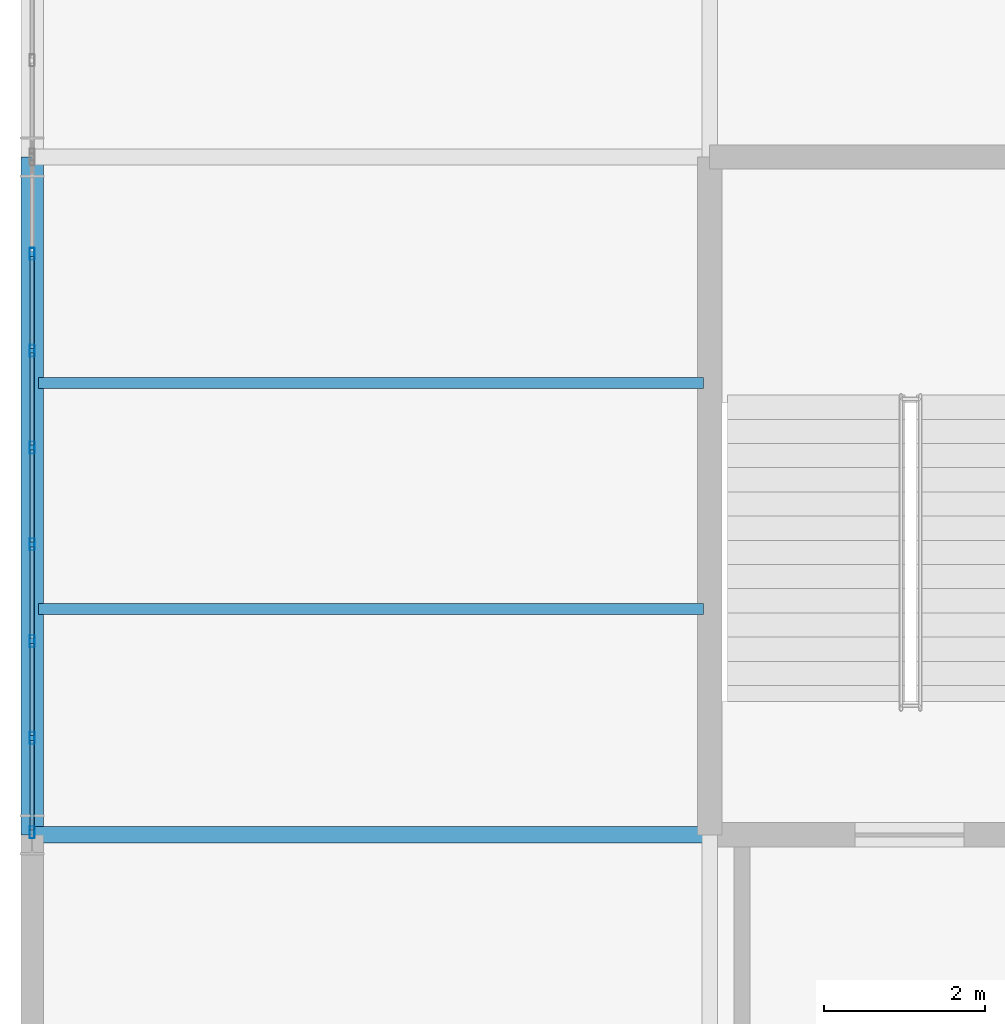
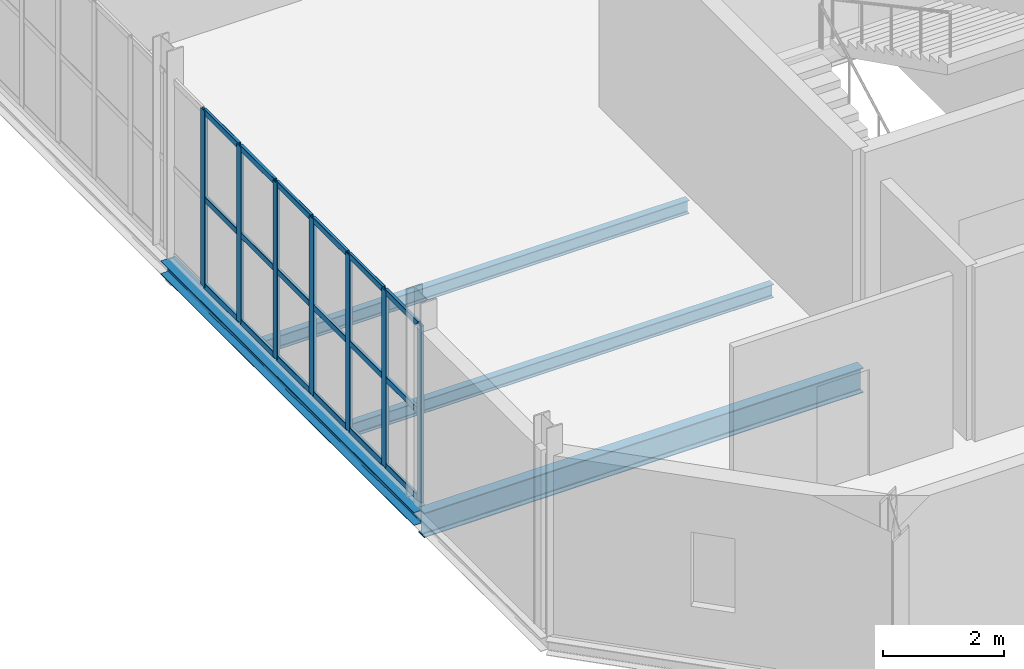
# One storey, part 16 of 69: 25 members, 4 beams, 1 element without a shape of its own.
"""IFC4 building model written with IfcOpenShell, lengths in metres."""

from ifc_helpers import new_model, si_unit, direction, frame, origin, origin_2d, place, context, subcontext, project, spatial, hollow_rectangle, i_section, extrude, material, layer, layer_set, material_profile, profile_set, type_object, element, aggregate, save


model = new_model("IFC4")

# Units and contexts
model_context = context("Model", 3, precision=1e-05, world=origin(), true_north=direction((0.0, 1.0)))
body_context = subcontext(model_context, "Body", "Model", "MODEL_VIEW")
ifc_project = project(units=[si_unit("LENGTHUNIT", "METRE"), si_unit("AREAUNIT", "SQUARE_METRE"), si_unit("VOLUMEUNIT", "CUBIC_METRE"), si_unit("PLANEANGLEUNIT", "RADIAN"), si_unit("MASSUNIT", "GRAM", prefix="KILO")], contexts=[model_context])

# Site, building, storey
site_placement = place(None, origin())
site = spatial("IfcSite", under=ifc_project, at=site_placement, CompositionType="ELEMENT")
building_placement = place(site_placement, origin())
building = spatial("IfcBuilding", under=site, at=building_placement, Name="Qalvenar Corner Mobility Hub", CompositionType="ELEMENT")
storey_placement = place(building_placement, frame((0.0, 0.0, 13.199951171875)))
storey = spatial("IfcBuildingStorey", under=building, at=storey_placement, Name="L03", CompositionType="ELEMENT", Elevation=13.199951171875)

# Beams
ifc_material_1 = material(Name="Steel S355", Category="steel")
ifc_material_profile_1 = material_profile(ifc_material_1, i_section(OverallWidth=0.199951171875, OverallDepth=0.5, WebThickness=0.01025390625, FlangeThickness=0.01611328125, FilletRadius=0.02099609375, at=origin_2d()), Name="IPE500")
ifc_profile_set_1 = profile_set([ifc_material_profile_1], Name="Steel S355")
beam_type_1 = type_object("IfcBeamType", Name="BM-IPE500", PredefinedType="BEAM", material=ifc_profile_set_1)
beam_1_placement = place(storey_placement, frame((0.0, 8.39990234375, -0.429931640625), z_axis=(1.0, 0.0, 0.0), x_axis=(0.0, 1.0, 0.0)))
element("IfcBeam", 1, at=beam_1_placement, inside=storey, type_object=beam_type_1, Name="Primary Steel Girder GX-2194", PredefinedType="BEAM", context=body_context, shape_type="SweptSolid", body=[
    extrude(i_section(OverallWidth=0.199951171875, OverallDepth=0.5, WebThickness=0.01025390625, FlangeThickness=0.01611328125, FilletRadius=0.02099609375, at=origin_2d()), origin(), (0.0, 0.0, 1.0), 8.39990234375),
])
ifc_material_profile_2 = material_profile(ifc_material_1, i_section(OverallWidth=0.135009765625, OverallDepth=0.27001953125, WebThickness=0.006591796875, FlangeThickness=0.01025390625, FilletRadius=0.014892578125, at=origin_2d()), Name="IPE270")
ifc_profile_set_2 = profile_set([ifc_material_profile_2], Name="Steel S355")
beam_type_2 = type_object("IfcBeamType", Name="BM-JST270", PredefinedType="JOIST", material=ifc_profile_set_2)
for number, where, z_axis, x_axis, name in (
    (2, (0.077880859375, 11.199951171875, -0.31494140625), (1.0, 0.0, 0.0), (0.0, 1.0, 0.0), "Composite Floor Joist J-2262"),
    (3, (0.077880859375, 14.0, -0.31494140625), (1.0, 0.0, 0.0), (0.0, 1.0, 0.0), "Composite Floor Joist J-2263"),
):
    element("IfcBeam", number, at=place(storey_placement, frame(where, z_axis=z_axis, x_axis=x_axis)), inside=storey, type_object=beam_type_2, Name=name, PredefinedType="JOIST", context=body_context, shape_type="SweptSolid", body=[
        extrude(i_section(OverallWidth=0.135009765625, OverallDepth=0.27001953125, WebThickness=0.006591796875, FlangeThickness=0.01025390625, FilletRadius=0.014892578125, at=origin_2d()), origin(), (0.0, 0.0, 1.0), 8.244140625),
    ])
ifc_material_profile_3 = material_profile(ifc_material_1, i_section(OverallWidth=0.280029296875, OverallDepth=0.27001953125, WebThickness=0.008056640625, FlangeThickness=0.012939453125, FilletRadius=0.02392578125, at=origin_2d()), Name="HEA280")
ifc_profile_set_3 = profile_set([ifc_material_profile_3], Name="Steel S355")
beam_type_3 = type_object("IfcBeamType", Name="BM-SPN280", PredefinedType="SPANDREL", material=ifc_profile_set_3)
beam_2_placement = place(storey_placement, frame((0.0, 8.39990234375, -0.31494140625), z_axis=(0.0, 1.0, 0.0), x_axis=(-1.0, 0.0, 0.0)))
element("IfcBeam", 4, at=beam_2_placement, inside=storey, type_object=beam_type_3, Name="Primary Steel Girder GY-2225", PredefinedType="SPANDREL", context=body_context, shape_type="SweptSolid", body=[
    extrude(i_section(OverallWidth=0.280029296875, OverallDepth=0.27001953125, WebThickness=0.008056640625, FlangeThickness=0.012939453125, FilletRadius=0.02392578125, at=origin_2d()), origin(), (0.0, 0.0, 1.0), 8.400146484375),
])

# Curtain wall, members
ifc_material_2 = material(Name="Anodised Aluminium and Low-E Glazing", Category="aluminium")
ifc_layer = layer(ifc_material_2, 0.14990234375)
ifc_layer_set = layer_set([ifc_layer], Name="Anodised Aluminium and Low-E Glazing")
curtain_wall_type = type_object("IfcCurtainWallType", Name="CW-CIV-84X40", PredefinedType="NOTDEFINED", material=ifc_layer_set)
curtain_wall_placement = place(storey_placement, origin())
curtain_wall = element("IfcCurtainWall", 5, at=curtain_wall_placement, inside=storey, type_object=curtain_wall_type, Name="Glazed Curtain Wall CW-V3-L03-W1", PredefinedType="NOTDEFINED")
ifc_material_3 = material(Name="Anodised Aluminium 6063-T6", Category="aluminium")
ifc_material_profile_4 = material_profile(ifc_material_3, hollow_rectangle(XDim=0.06005859375, YDim=0.14990234375, WallThickness=0.00390625, InnerFilletRadius=0.00390625, OuterFilletRadius=0.008056640625, at=origin_2d()), Name="RHS150x60x4")
ifc_profile_set_4 = profile_set([ifc_material_profile_4], Name="Anodised Aluminium 6063-T6")
member_type_1 = type_object("IfcMemberType", Name="CW-MUL150", PredefinedType="MULLION", material=ifc_profile_set_4)
member_1_placement = place(storey_placement, frame((0.0, 15.60009765625, 0.0), z_axis=(0.0, 0.0, 1.0), x_axis=(1.0, 0.0, 0.0)))
member_1 = element("IfcMember", 6, at=member_1_placement, type_object=member_type_1, Name="CW-05 mullion 2", PredefinedType="MULLION", context=body_context, shape_type="SweptSolid", body=[
    extrude(hollow_rectangle(XDim=0.06005859375, YDim=0.14990234375, WallThickness=0.00390625, InnerFilletRadius=0.00390625, OuterFilletRadius=0.008056640625, at=origin_2d()), origin(), (0.0, 0.0, 1.0), 3.570068359375),
])
member_2_placement = place(storey_placement, frame((0.0, 14.39990234375, 0.0), z_axis=(0.0, 0.0, 1.0), x_axis=(1.0, 0.0, 0.0)))
member_2 = element("IfcMember", 7, at=member_2_placement, type_object=member_type_1, Name="CW-05 mullion 3", PredefinedType="MULLION", context=body_context, shape_type="SweptSolid", body=[
    extrude(hollow_rectangle(XDim=0.06005859375, YDim=0.14990234375, WallThickness=0.00390625, InnerFilletRadius=0.00390625, OuterFilletRadius=0.008056640625, at=origin_2d()), origin(), (0.0, 0.0, 1.0), 3.570068359375),
])
member_3_placement = place(storey_placement, frame((0.0, 13.199951171875, 0.0), z_axis=(0.0, 0.0, 1.0), x_axis=(1.0, 0.0, 0.0)))
member_3 = element("IfcMember", 8, at=member_3_placement, type_object=member_type_1, Name="CW-05 mullion 4", PredefinedType="MULLION", context=body_context, shape_type="SweptSolid", body=[
    extrude(hollow_rectangle(XDim=0.06005859375, YDim=0.14990234375, WallThickness=0.00390625, InnerFilletRadius=0.00390625, OuterFilletRadius=0.008056640625, at=origin_2d()), origin(), (0.0, 0.0, 1.0), 3.570068359375),
])
member_4_placement = place(storey_placement, frame((0.0, 12.0, 0.0), z_axis=(0.0, 0.0, 1.0), x_axis=(1.0, 0.0, 0.0)))
member_4 = element("IfcMember", 9, at=member_4_placement, type_object=member_type_1, Name="CW-05 mullion 5", PredefinedType="MULLION", context=body_context, shape_type="SweptSolid", body=[
    extrude(hollow_rectangle(XDim=0.06005859375, YDim=0.14990234375, WallThickness=0.00390625, InnerFilletRadius=0.00390625, OuterFilletRadius=0.008056640625, at=origin_2d()), origin(), (0.0, 0.0, 1.0), 3.570068359375),
])
member_5_placement = place(storey_placement, frame((0.0, 10.800048828125, 0.0), z_axis=(0.0, 0.0, 1.0), x_axis=(1.0, 0.0, 0.0)))
member_5 = element("IfcMember", 10, at=member_5_placement, type_object=member_type_1, Name="CW-05 mullion 6", PredefinedType="MULLION", context=body_context, shape_type="SweptSolid", body=[
    extrude(hollow_rectangle(XDim=0.06005859375, YDim=0.14990234375, WallThickness=0.00390625, InnerFilletRadius=0.00390625, OuterFilletRadius=0.008056640625, at=origin_2d()), origin(), (0.0, 0.0, 1.0), 3.570068359375),
])
member_6_placement = place(storey_placement, frame((0.0, 9.60009765625, 0.0), z_axis=(0.0, 0.0, 1.0), x_axis=(1.0, 0.0, 0.0)))
member_6 = element("IfcMember", 11, at=member_6_placement, type_object=member_type_1, Name="CW-05 mullion 7", PredefinedType="MULLION", context=body_context, shape_type="SweptSolid", body=[
    extrude(hollow_rectangle(XDim=0.06005859375, YDim=0.14990234375, WallThickness=0.00390625, InnerFilletRadius=0.00390625, OuterFilletRadius=0.008056640625, at=origin_2d()), origin(), (0.0, 0.0, 1.0), 3.570068359375),
])
member_7_placement = place(storey_placement, frame((0.0, 8.429931640625, 0.0), z_axis=(0.0, 0.0, 1.0), x_axis=(1.0, 0.0, 0.0)))
member_7 = element("IfcMember", 12, at=member_7_placement, type_object=member_type_1, Name="CW-05 mullion 8", PredefinedType="MULLION", context=body_context, shape_type="SweptSolid", body=[
    extrude(hollow_rectangle(XDim=0.06005859375, YDim=0.14990234375, WallThickness=0.00390625, InnerFilletRadius=0.00390625, OuterFilletRadius=0.008056640625, at=origin_2d()), origin(), (0.0, 0.0, 1.0), 3.570068359375),
])
ifc_material_profile_5 = material_profile(ifc_material_3, hollow_rectangle(XDim=0.054931640625, YDim=0.1201171875, WallThickness=0.00341796875, InnerFilletRadius=0.00341796875, OuterFilletRadius=0.007080078125, at=origin_2d()), Name="RHS120x55x3.5")
ifc_profile_set_5 = profile_set([ifc_material_profile_5], Name="Anodised Aluminium 6063-T6")
member_type_2 = type_object("IfcMemberType", Name="CW-TRN120", PredefinedType="USERDEFINED", material=ifc_profile_set_5)
member_8_placement = place(storey_placement, frame((0.0, 15.570068359375, 0.027587890625), z_axis=(0.0, -1.0, 0.0), x_axis=(1.0, 0.0, 0.0)))
member_8 = element("IfcMember", 13, at=member_8_placement, type_object=member_type_2, Name="CW-05 transom 2.1", ObjectType="TRANSOM", PredefinedType="USERDEFINED", context=body_context, shape_type="SweptSolid", body=[
    extrude(hollow_rectangle(XDim=0.054931640625, YDim=0.1201171875, WallThickness=0.00341796875, InnerFilletRadius=0.00341796875, OuterFilletRadius=0.007080078125, at=origin_2d()), origin(), (0.0, 0.0, 1.0), 1.14013671875),
])
member_9_placement = place(storey_placement, frame((0.0, 15.570068359375, 1.78515625), z_axis=(0.0, -1.0, 0.0), x_axis=(1.0, 0.0, 0.0)))
member_9 = element("IfcMember", 14, at=member_9_placement, type_object=member_type_2, Name="CW-05 transom 2.2", ObjectType="TRANSOM", PredefinedType="USERDEFINED", context=body_context, shape_type="SweptSolid", body=[
    extrude(hollow_rectangle(XDim=0.054931640625, YDim=0.1201171875, WallThickness=0.00341796875, InnerFilletRadius=0.00341796875, OuterFilletRadius=0.007080078125, at=origin_2d()), origin(), (0.0, 0.0, 1.0), 1.14013671875),
])
member_10_placement = place(storey_placement, frame((0.0, 15.570068359375, 3.54248046875), z_axis=(0.0, -1.0, 0.0), x_axis=(1.0, 0.0, 0.0)))
member_10 = element("IfcMember", 15, at=member_10_placement, type_object=member_type_2, Name="CW-05 transom 2.3", ObjectType="TRANSOM", PredefinedType="USERDEFINED", context=body_context, shape_type="SweptSolid", body=[
    extrude(hollow_rectangle(XDim=0.054931640625, YDim=0.1201171875, WallThickness=0.00341796875, InnerFilletRadius=0.00341796875, OuterFilletRadius=0.007080078125, at=origin_2d()), origin(), (0.0, 0.0, 1.0), 1.14013671875),
])
member_11_placement = place(storey_placement, frame((0.0, 14.3701171875, 0.027587890625), z_axis=(0.0, -1.0, 0.0), x_axis=(1.0, 0.0, 0.0)))
member_11 = element("IfcMember", 16, at=member_11_placement, type_object=member_type_2, Name="CW-05 transom 3.1", ObjectType="TRANSOM", PredefinedType="USERDEFINED", context=body_context, shape_type="SweptSolid", body=[
    extrude(hollow_rectangle(XDim=0.054931640625, YDim=0.1201171875, WallThickness=0.00341796875, InnerFilletRadius=0.00341796875, OuterFilletRadius=0.007080078125, at=origin_2d()), origin(), (0.0, 0.0, 1.0), 1.14013671875),
])
member_12_placement = place(storey_placement, frame((0.0, 14.3701171875, 1.78515625), z_axis=(0.0, -1.0, 0.0), x_axis=(1.0, 0.0, 0.0)))
member_12 = element("IfcMember", 17, at=member_12_placement, type_object=member_type_2, Name="CW-05 transom 3.2", ObjectType="TRANSOM", PredefinedType="USERDEFINED", context=body_context, shape_type="SweptSolid", body=[
    extrude(hollow_rectangle(XDim=0.054931640625, YDim=0.1201171875, WallThickness=0.00341796875, InnerFilletRadius=0.00341796875, OuterFilletRadius=0.007080078125, at=origin_2d()), origin(), (0.0, 0.0, 1.0), 1.14013671875),
])
member_13_placement = place(storey_placement, frame((0.0, 14.3701171875, 3.54248046875), z_axis=(0.0, -1.0, 0.0), x_axis=(1.0, 0.0, 0.0)))
member_13 = element("IfcMember", 18, at=member_13_placement, type_object=member_type_2, Name="CW-05 transom 3.3", ObjectType="TRANSOM", PredefinedType="USERDEFINED", context=body_context, shape_type="SweptSolid", body=[
    extrude(hollow_rectangle(XDim=0.054931640625, YDim=0.1201171875, WallThickness=0.00341796875, InnerFilletRadius=0.00341796875, OuterFilletRadius=0.007080078125, at=origin_2d()), origin(), (0.0, 0.0, 1.0), 1.14013671875),
])
member_14_placement = place(storey_placement, frame((0.0, 13.169921875, 0.027587890625), z_axis=(0.0, -1.0, 0.0), x_axis=(1.0, 0.0, 0.0)))
member_14 = element("IfcMember", 19, at=member_14_placement, type_object=member_type_2, Name="CW-05 transom 4.1", ObjectType="TRANSOM", PredefinedType="USERDEFINED", context=body_context, shape_type="SweptSolid", body=[
    extrude(hollow_rectangle(XDim=0.054931640625, YDim=0.1201171875, WallThickness=0.00341796875, InnerFilletRadius=0.00341796875, OuterFilletRadius=0.007080078125, at=origin_2d()), origin(), (0.0, 0.0, 1.0), 1.139892578125),
])
member_15_placement = place(storey_placement, frame((0.0, 13.169921875, 1.78515625), z_axis=(0.0, -1.0, 0.0), x_axis=(1.0, 0.0, 0.0)))
member_15 = element("IfcMember", 20, at=member_15_placement, type_object=member_type_2, Name="CW-05 transom 4.2", ObjectType="TRANSOM", PredefinedType="USERDEFINED", context=body_context, shape_type="SweptSolid", body=[
    extrude(hollow_rectangle(XDim=0.054931640625, YDim=0.1201171875, WallThickness=0.00341796875, InnerFilletRadius=0.00341796875, OuterFilletRadius=0.007080078125, at=origin_2d()), origin(), (0.0, 0.0, 1.0), 1.139892578125),
])
member_16_placement = place(storey_placement, frame((0.0, 13.169921875, 3.54248046875), z_axis=(0.0, -1.0, 0.0), x_axis=(1.0, 0.0, 0.0)))
member_16 = element("IfcMember", 21, at=member_16_placement, type_object=member_type_2, Name="CW-05 transom 4.3", ObjectType="TRANSOM", PredefinedType="USERDEFINED", context=body_context, shape_type="SweptSolid", body=[
    extrude(hollow_rectangle(XDim=0.054931640625, YDim=0.1201171875, WallThickness=0.00341796875, InnerFilletRadius=0.00341796875, OuterFilletRadius=0.007080078125, at=origin_2d()), origin(), (0.0, 0.0, 1.0), 1.139892578125),
])
member_17_placement = place(storey_placement, frame((0.0, 11.969970703125, 0.027587890625), z_axis=(0.0, -1.0, 0.0), x_axis=(1.0, 0.0, 0.0)))
member_17 = element("IfcMember", 22, at=member_17_placement, type_object=member_type_2, Name="CW-05 transom 5.1", ObjectType="TRANSOM", PredefinedType="USERDEFINED", context=body_context, shape_type="SweptSolid", body=[
    extrude(hollow_rectangle(XDim=0.054931640625, YDim=0.1201171875, WallThickness=0.00341796875, InnerFilletRadius=0.00341796875, OuterFilletRadius=0.007080078125, at=origin_2d()), origin(), (0.0, 0.0, 1.0), 1.139892578125),
])
member_18_placement = place(storey_placement, frame((0.0, 11.969970703125, 1.78515625), z_axis=(0.0, -1.0, 0.0), x_axis=(1.0, 0.0, 0.0)))
member_18 = element("IfcMember", 23, at=member_18_placement, type_object=member_type_2, Name="CW-05 transom 5.2", ObjectType="TRANSOM", PredefinedType="USERDEFINED", context=body_context, shape_type="SweptSolid", body=[
    extrude(hollow_rectangle(XDim=0.054931640625, YDim=0.1201171875, WallThickness=0.00341796875, InnerFilletRadius=0.00341796875, OuterFilletRadius=0.007080078125, at=origin_2d()), origin(), (0.0, 0.0, 1.0), 1.139892578125),
])
member_19_placement = place(storey_placement, frame((0.0, 11.969970703125, 3.54248046875), z_axis=(0.0, -1.0, 0.0), x_axis=(1.0, 0.0, 0.0)))
member_19 = element("IfcMember", 24, at=member_19_placement, type_object=member_type_2, Name="CW-05 transom 5.3", ObjectType="TRANSOM", PredefinedType="USERDEFINED", context=body_context, shape_type="SweptSolid", body=[
    extrude(hollow_rectangle(XDim=0.054931640625, YDim=0.1201171875, WallThickness=0.00341796875, InnerFilletRadius=0.00341796875, OuterFilletRadius=0.007080078125, at=origin_2d()), origin(), (0.0, 0.0, 1.0), 1.139892578125),
])
member_20_placement = place(storey_placement, frame((0.0, 10.77001953125, 0.027587890625), z_axis=(0.0, -1.0, 0.0), x_axis=(1.0, 0.0, 0.0)))
member_20 = element("IfcMember", 25, at=member_20_placement, type_object=member_type_2, Name="CW-05 transom 6.1", ObjectType="TRANSOM", PredefinedType="USERDEFINED", context=body_context, shape_type="SweptSolid", body=[
    extrude(hollow_rectangle(XDim=0.054931640625, YDim=0.1201171875, WallThickness=0.00341796875, InnerFilletRadius=0.00341796875, OuterFilletRadius=0.007080078125, at=origin_2d()), origin(), (0.0, 0.0, 1.0), 1.14013671875),
])
member_21_placement = place(storey_placement, frame((0.0, 10.77001953125, 1.78515625), z_axis=(0.0, -1.0, 0.0), x_axis=(1.0, 0.0, 0.0)))
member_21 = element("IfcMember", 26, at=member_21_placement, type_object=member_type_2, Name="CW-05 transom 6.2", ObjectType="TRANSOM", PredefinedType="USERDEFINED", context=body_context, shape_type="SweptSolid", body=[
    extrude(hollow_rectangle(XDim=0.054931640625, YDim=0.1201171875, WallThickness=0.00341796875, InnerFilletRadius=0.00341796875, OuterFilletRadius=0.007080078125, at=origin_2d()), origin(), (0.0, 0.0, 1.0), 1.14013671875),
])
member_22_placement = place(storey_placement, frame((0.0, 10.77001953125, 3.54248046875), z_axis=(0.0, -1.0, 0.0), x_axis=(1.0, 0.0, 0.0)))
member_22 = element("IfcMember", 27, at=member_22_placement, type_object=member_type_2, Name="CW-05 transom 6.3", ObjectType="TRANSOM", PredefinedType="USERDEFINED", context=body_context, shape_type="SweptSolid", body=[
    extrude(hollow_rectangle(XDim=0.054931640625, YDim=0.1201171875, WallThickness=0.00341796875, InnerFilletRadius=0.00341796875, OuterFilletRadius=0.007080078125, at=origin_2d()), origin(), (0.0, 0.0, 1.0), 1.14013671875),
])
member_23_placement = place(storey_placement, frame((0.0, 9.570068359375, 0.027587890625), z_axis=(0.0, -1.0, 0.0), x_axis=(1.0, 0.0, 0.0)))
member_23 = element("IfcMember", 28, at=member_23_placement, type_object=member_type_2, Name="CW-05 transom 7.1", ObjectType="TRANSOM", PredefinedType="USERDEFINED", context=body_context, shape_type="SweptSolid", body=[
    extrude(hollow_rectangle(XDim=0.054931640625, YDim=0.1201171875, WallThickness=0.00341796875, InnerFilletRadius=0.00341796875, OuterFilletRadius=0.007080078125, at=origin_2d()), origin(), (0.0, 0.0, 1.0), 1.110107421875),
])
member_24_placement = place(storey_placement, frame((0.0, 9.570068359375, 1.78515625), z_axis=(0.0, -1.0, 0.0), x_axis=(1.0, 0.0, 0.0)))
member_24 = element("IfcMember", 29, at=member_24_placement, type_object=member_type_2, Name="CW-05 transom 7.2", ObjectType="TRANSOM", PredefinedType="USERDEFINED", context=body_context, shape_type="SweptSolid", body=[
    extrude(hollow_rectangle(XDim=0.054931640625, YDim=0.1201171875, WallThickness=0.00341796875, InnerFilletRadius=0.00341796875, OuterFilletRadius=0.007080078125, at=origin_2d()), origin(), (0.0, 0.0, 1.0), 1.110107421875),
])
member_25_placement = place(storey_placement, frame((0.0, 9.570068359375, 3.54248046875), z_axis=(0.0, -1.0, 0.0), x_axis=(1.0, 0.0, 0.0)))
member_25 = element("IfcMember", 30, at=member_25_placement, type_object=member_type_2, Name="CW-05 transom 7.3", ObjectType="TRANSOM", PredefinedType="USERDEFINED", context=body_context, shape_type="SweptSolid", body=[
    extrude(hollow_rectangle(XDim=0.054931640625, YDim=0.1201171875, WallThickness=0.00341796875, InnerFilletRadius=0.00341796875, OuterFilletRadius=0.007080078125, at=origin_2d()), origin(), (0.0, 0.0, 1.0), 1.110107421875),
])
aggregate(curtain_wall, [member_1, member_2, member_3, member_4, member_5, member_6, member_7, member_8, member_9, member_10, member_11, member_12, member_13, member_14, member_15, member_16, member_17, member_18, member_19, member_20, member_21, member_22, member_23, member_24, member_25])

save(model, "model.ifc")
